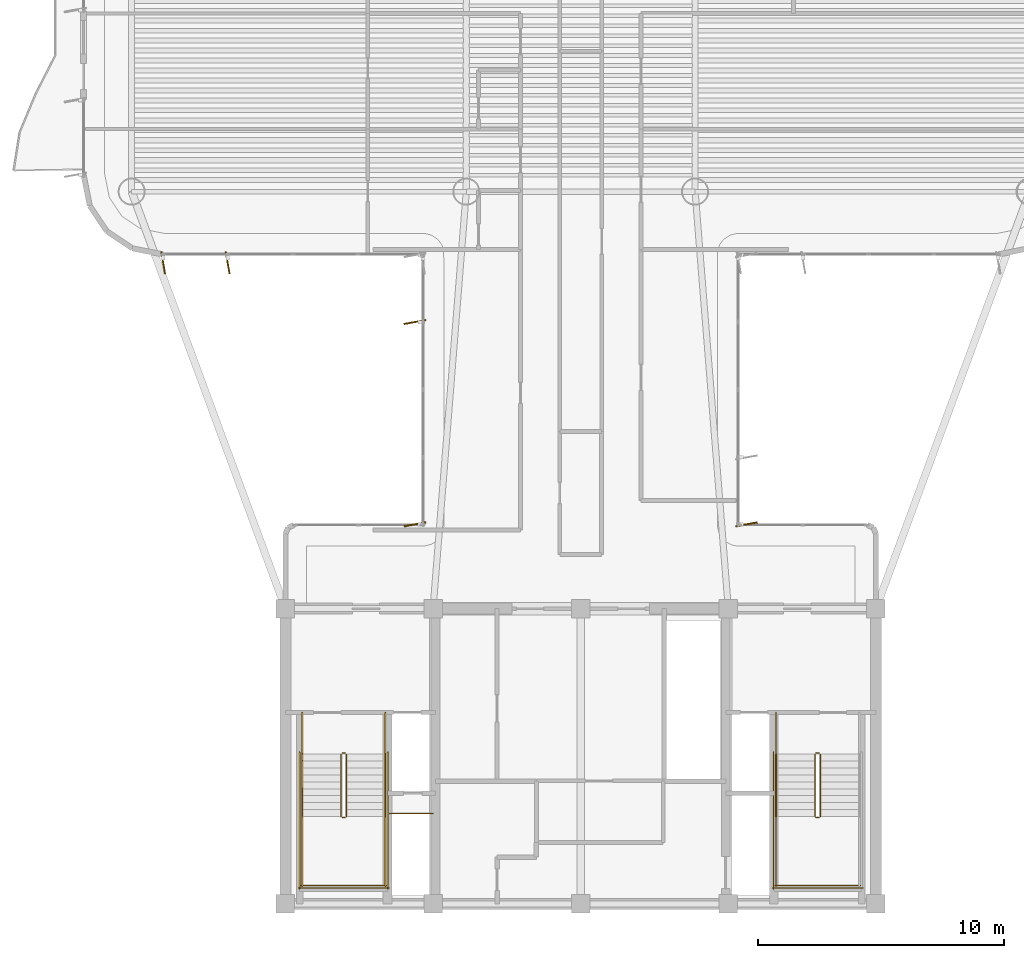
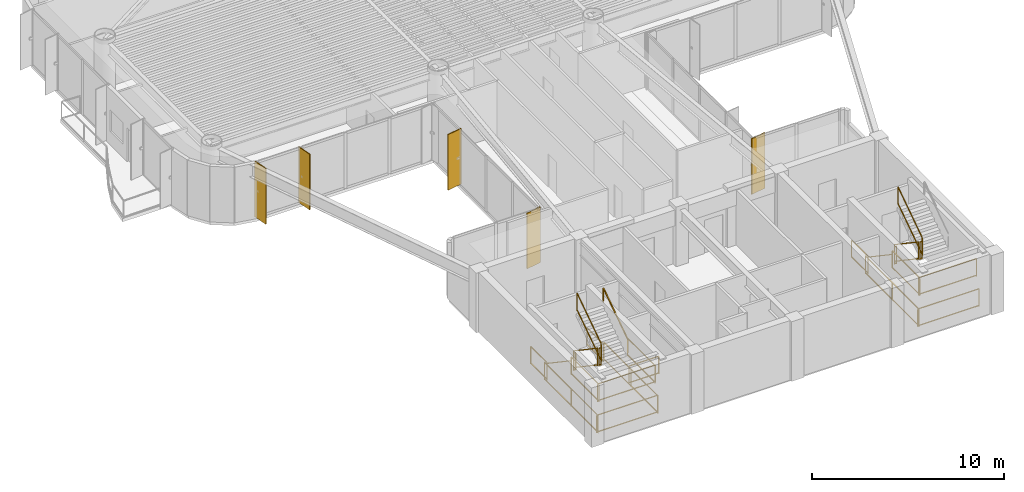
# One storey, part 13 of 14: 25 railings, 5 shading devices.
"""IFC4 building model written with IfcOpenShell, lengths in metres."""

from ifc_helpers import new_model, si_unit, direction, frame, origin, origin_2d, place, context, subcontext, project, spatial, rectangle, extrude, source, transform, mapped, material, layer, layer_set, material_profile, profile_set, type_object, element, save


model = new_model("IFC4")

# Units and contexts
model_context = context("Model", 3, precision=1e-05, world=origin(), true_north=direction((0.0, 1.0)))
body_context = subcontext(model_context, "Body", "Model", "MODEL_VIEW")
ifc_project = project(units=[si_unit("LENGTHUNIT", "METRE"), si_unit("AREAUNIT", "SQUARE_METRE"), si_unit("VOLUMEUNIT", "CUBIC_METRE"), si_unit("PLANEANGLEUNIT", "RADIAN"), si_unit("MASSUNIT", "GRAM", prefix="KILO")], contexts=[model_context])

# Site, building, storey
site_placement = place(None, origin())
site = spatial("IfcSite", under=ifc_project, at=site_placement, CompositionType="ELEMENT")
building_placement = place(site_placement, origin())
building = spatial("IfcBuilding", under=site, at=building_placement, Name="Brelvock Crest Care Tower", CompositionType="ELEMENT")
storey_placement = place(building_placement, frame((0.0, 0.0, 201.780029296875)))
storey = spatial("IfcBuildingStorey", under=building, at=storey_placement, Name="L51", CompositionType="ELEMENT", Elevation=201.780029296875)

# Railings
ifc_material_1 = material(Name="Steel Grade 350", Category="steel")
ifc_layer_1 = layer(ifc_material_1, 0.050048828125, Name="RL-STG1")
ifc_layer_set_1 = layer_set([ifc_layer_1], Name="Steel Grade 350")
railing_type_1 = type_object("IfcRailingType", Name="RL-STG1", PredefinedType="GUARDRAIL", material=ifc_layer_set_1)
railing_1_placement = place(storey_placement, frame((26.260009765625, 12.080078125, 0.18896484375)))
element("IfcRailing", 1, at=railing_1_placement, inside=storey, type_object=railing_type_1, Name="L51 ST-1 stair guard 1", PredefinedType="GUARDRAIL", context=body_context, shape_type="SweptSolid", body=[
    extrude(rectangle(XDim=0.048095703125, YDim=0.048095703125, at=origin_2d()), frame((0.0, -0.001708984375, 1.116943359375), z_axis=(0.0, -0.828861706735, 0.559453546873), x_axis=(1.0, 0.0, 0.0)), (0.0, 0.0, 1.0), 3.036376953125),
    extrude(rectangle(XDim=0.048095703125, YDim=0.048095703125, at=origin_2d()), frame((0.0, -0.001708984375, 0.05615234375), z_axis=(0.0, -0.828861706735, 0.559453546873), x_axis=(1.0, 0.0, 0.0)), (0.0, 0.0, 1.0), 3.036376953125),
    extrude(rectangle(XDim=0.0419921875, YDim=0.0419921875, at=origin_2d()), origin(), (0.0, 0.0, 1.0), 1.08984375),
    extrude(rectangle(XDim=0.0419921875, YDim=0.0419921875, at=origin_2d()), frame((0.0, -2.52001953125, 1.700927734375)), (0.0, 0.0, 1.0), 1.08984375),
])
railing_2_placement = place(storey_placement, frame((26.31005859375, 9.510009765625, 1.889892578125)))
element("IfcRailing", 2, at=railing_2_placement, inside=storey, type_object=railing_type_1, Name="L51 ST-1 stair guard 2", PredefinedType="GUARDRAIL", context=body_context, shape_type="SweptSolid", body=[
    extrude(rectangle(XDim=0.048095703125, YDim=0.048095703125, at=origin_2d()), frame((0.001953125, 0.0, 1.11572265625), z_axis=(1.0, 0.0, 0.0), x_axis=(0.0, 1.0, 0.0)), (0.0, 0.0, 1.0), 0.115966796875),
    extrude(rectangle(XDim=0.048095703125, YDim=0.048095703125, at=origin_2d()), frame((0.001953125, 0.0, 0.054931640625), z_axis=(1.0, 0.0, 0.0), x_axis=(0.0, 1.0, 0.0)), (0.0, 0.0, 1.0), 0.115966796875),
    extrude(rectangle(XDim=0.0419921875, YDim=0.0419921875, at=origin_2d()), origin(), (0.0, 0.0, 1.0), 1.08984375),
    extrude(rectangle(XDim=0.0419921875, YDim=0.0419921875, at=origin_2d()), frame((0.119873046875, 0.0, 0.0)), (0.0, 0.0, 1.0), 1.08984375),
])
for number, where, name in (
    (3, (24.679931640625, 9.56005859375, 1.889892578125), "L51 ST-1 stair guard 3"),
    (4, (28.06005859375, 9.56005859375, 1.889892578125), "L51 ST-1 stair guard 4"),
):
    element("IfcRailing", number, at=place(storey_placement, frame(where)), inside=storey, type_object=railing_type_1, Name=name, PredefinedType="GUARDRAIL", context=body_context, shape_type="SweptSolid", body=[
        extrude(rectangle(XDim=0.048095703125, YDim=0.048095703125, at=origin_2d()), frame((0.0, -0.001953125, 1.11572265625), z_axis=(0.0, -1.0, 0.0), x_axis=(1.0, 0.0, 0.0)), (0.0, 0.0, 1.0), 2.856201171875),
        extrude(rectangle(XDim=0.048095703125, YDim=0.048095703125, at=origin_2d()), frame((0.0, -0.001953125, 0.054931640625), z_axis=(0.0, -1.0, 0.0), x_axis=(1.0, 0.0, 0.0)), (0.0, 0.0, 1.0), 2.856201171875),
        extrude(rectangle(XDim=0.0419921875, YDim=0.0419921875, at=origin_2d()), origin(), (0.0, 0.0, 1.0), 1.08984375),
        extrude(rectangle(XDim=0.0419921875, YDim=0.0419921875, at=origin_2d()), frame((0.0, -2.860107421875, 0.0)), (0.0, 0.0, 1.0), 1.08984375),
    ])
railing_3_placement = place(storey_placement, frame((24.6298828125, 6.75, 1.889892578125)))
element("IfcRailing", 5, at=railing_3_placement, inside=storey, type_object=railing_type_1, Name="L51 ST-1 stair guard 5", PredefinedType="GUARDRAIL", context=body_context, shape_type="SweptSolid", body=[
    extrude(rectangle(XDim=0.048095703125, YDim=0.048095703125, at=origin_2d()), frame((0.001953125, 0.0, 1.11572265625), z_axis=(1.0, 0.0, 0.0), x_axis=(0.0, 1.0, 0.0)), (0.0, 0.0, 1.0), 3.476318359375),
    extrude(rectangle(XDim=0.048095703125, YDim=0.048095703125, at=origin_2d()), frame((0.001953125, 0.0, 0.054931640625), z_axis=(1.0, 0.0, 0.0), x_axis=(0.0, 1.0, 0.0)), (0.0, 0.0, 1.0), 3.476318359375),
    extrude(rectangle(XDim=0.0419921875, YDim=0.0419921875, at=origin_2d()), origin(), (0.0, 0.0, 1.0), 1.08984375),
    extrude(rectangle(XDim=0.0419921875, YDim=0.0419921875, at=origin_2d()), frame((3.480224609375, 0.0, 0.0)), (0.0, 0.0, 1.0), 1.08984375),
])
railing_4_placement = place(storey_placement, frame((26.47998046875, 9.56005859375, 2.078857421875)))
element("IfcRailing", 6, at=railing_4_placement, inside=storey, type_object=railing_type_1, Name="L51 ST-1 stair guard 6", PredefinedType="GUARDRAIL", context=body_context, shape_type="SweptSolid", body=[
    extrude(rectangle(XDim=0.048095703125, YDim=0.048095703125, at=origin_2d()), frame((0.0, 0.001708984375, 1.116943359375), z_axis=(0.0, 0.82882447046, 0.559508710537), x_axis=(-1.0, 0.0, 0.0)), (0.0, 0.0, 1.0), 3.036376953125),
    extrude(rectangle(XDim=0.048095703125, YDim=0.048095703125, at=origin_2d()), frame((0.0, 0.001708984375, 0.05615234375), z_axis=(0.0, 0.82882447046, 0.559508710537), x_axis=(-1.0, 0.0, 0.0)), (0.0, 0.0, 1.0), 3.036376953125),
    extrude(rectangle(XDim=0.0419921875, YDim=0.0419921875, at=origin_2d()), origin(), (0.0, 0.0, 1.0), 1.08984375),
    extrude(rectangle(XDim=0.0419921875, YDim=0.0419921875, at=origin_2d()), frame((0.0, 2.52001953125, 1.701171875)), (0.0, 0.0, 1.0), 1.08984375),
])
railing_5_placement = place(storey_placement, frame((26.31005859375, 12.1298828125, 0.0)))
element("IfcRailing", 7, at=railing_5_placement, inside=storey, type_object=railing_type_1, Name="L51 ST-1 stair guard 7", PredefinedType="GUARDRAIL", context=body_context, shape_type="SweptSolid", body=[
    extrude(rectangle(XDim=0.048095703125, YDim=0.048095703125, at=origin_2d()), frame((0.001953125, 0.0, 1.11572265625), z_axis=(1.0, 0.0, 0.0), x_axis=(0.0, 1.0, 0.0)), (0.0, 0.0, 1.0), 0.115966796875),
    extrude(rectangle(XDim=0.048095703125, YDim=0.048095703125, at=origin_2d()), frame((0.001953125, 0.0, 0.054931640625), z_axis=(1.0, 0.0, 0.0), x_axis=(0.0, 1.0, 0.0)), (0.0, 0.0, 1.0), 0.115966796875),
    extrude(rectangle(XDim=0.0419921875, YDim=0.0419921875, at=origin_2d()), origin(), (0.0, 0.0, 1.0), 1.08984375),
    extrude(rectangle(XDim=0.0419921875, YDim=0.0419921875, at=origin_2d()), frame((0.119873046875, 0.0, 0.0)), (0.0, 0.0, 1.0), 1.08984375),
])
for number, where, name in (
    (8, (24.679931640625, 13.780029296875, 0.0), "L51 ST-1 stair guard 8"),
    (9, (28.06005859375, 13.780029296875, 0.0), "L51 ST-1 stair guard 9"),
):
    element("IfcRailing", number, at=place(storey_placement, frame(where)), inside=storey, type_object=railing_type_1, Name=name, PredefinedType="GUARDRAIL", context=body_context, shape_type="SweptSolid", body=[
        extrude(rectangle(XDim=0.048095703125, YDim=0.048095703125, at=origin_2d()), frame((0.0, -0.001953125, 1.11572265625), z_axis=(0.0, -1.0, 0.0), x_axis=(1.0, 0.0, 0.0)), (0.0, 0.0, 1.0), 1.696044921875),
        extrude(rectangle(XDim=0.048095703125, YDim=0.048095703125, at=origin_2d()), frame((0.0, -0.001953125, 0.054931640625), z_axis=(0.0, -1.0, 0.0), x_axis=(1.0, 0.0, 0.0)), (0.0, 0.0, 1.0), 1.696044921875),
        extrude(rectangle(XDim=0.0419921875, YDim=0.0419921875, at=origin_2d()), origin(), (0.0, 0.0, 1.0), 1.08984375),
        extrude(rectangle(XDim=0.0419921875, YDim=0.0419921875, at=origin_2d()), frame((0.0, -1.699951171875, 0.0)), (0.0, 0.0, 1.0), 1.08984375),
    ])
for number, where, name in (
    (10, (24.580078125, 12.179931640625, 0.0), "L51 ST-1 stair guard 10"),
    (11, (28.159912109375, 12.179931640625, 0.0), "L51 ST-1 stair guard 11"),
):
    element("IfcRailing", number, at=place(storey_placement, frame(where)), inside=storey, type_object=railing_type_1, Name=name, PredefinedType="GUARDRAIL", context=body_context, shape_type="SweptSolid", body=[
        extrude(rectangle(XDim=0.048095703125, YDim=0.048095703125, at=origin_2d()), frame((0.0, -0.001953125, 1.11572265625), z_axis=(0.0, -1.0, 0.0), x_axis=(1.0, 0.0, 0.0)), (0.0, 0.0, 1.0), 5.575927734375),
        extrude(rectangle(XDim=0.048095703125, YDim=0.048095703125, at=origin_2d()), frame((0.0, -0.001953125, 0.054931640625), z_axis=(0.0, -1.0, 0.0), x_axis=(1.0, 0.0, 0.0)), (0.0, 0.0, 1.0), 5.575927734375),
        extrude(rectangle(XDim=0.0419921875, YDim=0.0419921875, at=origin_2d()), origin(), (0.0, 0.0, 1.0), 1.08984375),
        extrude(rectangle(XDim=0.0419921875, YDim=0.0419921875, at=origin_2d()), frame((0.0, -2.7900390625, 0.0)), (0.0, 0.0, 1.0), 1.08984375),
        extrude(rectangle(XDim=0.0419921875, YDim=0.0419921875, at=origin_2d()), frame((0.0, -5.579833984375, 0.0)), (0.0, 0.0, 1.0), 1.08984375),
    ])
railing_6_placement = place(storey_placement, frame((24.530029296875, 6.64990234375, 0.0)))
element("IfcRailing", 12, at=railing_6_placement, inside=storey, type_object=railing_type_1, Name="L51 ST-1 stair guard 12", PredefinedType="GUARDRAIL", context=body_context, shape_type="SweptSolid", body=[
    extrude(rectangle(XDim=0.048095703125, YDim=0.048095703125, at=origin_2d()), frame((0.001953125, 0.0, 1.11572265625), z_axis=(1.0, 0.0, 0.0), x_axis=(0.0, 1.0, 0.0)), (0.0, 0.0, 1.0), 3.676025390625),
    extrude(rectangle(XDim=0.048095703125, YDim=0.048095703125, at=origin_2d()), frame((0.001953125, 0.0, 0.054931640625), z_axis=(1.0, 0.0, 0.0), x_axis=(0.0, 1.0, 0.0)), (0.0, 0.0, 1.0), 3.676025390625),
    extrude(rectangle(XDim=0.0419921875, YDim=0.0419921875, at=origin_2d()), origin(), (0.0, 0.0, 1.0), 1.08984375),
    extrude(rectangle(XDim=0.0419921875, YDim=0.0419921875, at=origin_2d()), frame((3.679931640625, 0.0, 0.0)), (0.0, 0.0, 1.0), 1.08984375),
])
railing_7_placement = place(storey_placement, frame((45.52001953125, 12.080078125, 0.18896484375)))
element("IfcRailing", 13, at=railing_7_placement, inside=storey, type_object=railing_type_1, Name="L51 ST-2 stair guard 1", PredefinedType="GUARDRAIL", context=body_context, shape_type="SweptSolid", body=[
    extrude(rectangle(XDim=0.048095703125, YDim=0.048095703125, at=origin_2d()), frame((0.0, -0.001708984375, 1.116943359375), z_axis=(0.0, -0.828861706735, 0.559453546873), x_axis=(1.0, 0.0, 0.0)), (0.0, 0.0, 1.0), 3.036376953125),
    extrude(rectangle(XDim=0.048095703125, YDim=0.048095703125, at=origin_2d()), frame((0.0, -0.001708984375, 0.05615234375), z_axis=(0.0, -0.828861706735, 0.559453546873), x_axis=(1.0, 0.0, 0.0)), (0.0, 0.0, 1.0), 3.036376953125),
    extrude(rectangle(XDim=0.0419921875, YDim=0.0419921875, at=origin_2d()), origin(), (0.0, 0.0, 1.0), 1.08984375),
    extrude(rectangle(XDim=0.0419921875, YDim=0.0419921875, at=origin_2d()), frame((0.0, -2.52001953125, 1.700927734375)), (0.0, 0.0, 1.0), 1.08984375),
])
railing_8_placement = place(storey_placement, frame((45.570068359375, 9.510009765625, 1.889892578125)))
element("IfcRailing", 14, at=railing_8_placement, inside=storey, type_object=railing_type_1, Name="L51 ST-2 stair guard 2", PredefinedType="GUARDRAIL", context=body_context, shape_type="SweptSolid", body=[
    extrude(rectangle(XDim=0.048095703125, YDim=0.048095703125, at=origin_2d()), frame((0.001953125, 0.0, 1.11572265625), z_axis=(1.0, 0.0, 0.0), x_axis=(0.0, 1.0, 0.0)), (0.0, 0.0, 1.0), 0.115966796875),
    extrude(rectangle(XDim=0.048095703125, YDim=0.048095703125, at=origin_2d()), frame((0.001953125, 0.0, 0.054931640625), z_axis=(1.0, 0.0, 0.0), x_axis=(0.0, 1.0, 0.0)), (0.0, 0.0, 1.0), 0.115966796875),
    extrude(rectangle(XDim=0.0419921875, YDim=0.0419921875, at=origin_2d()), origin(), (0.0, 0.0, 1.0), 1.08984375),
    extrude(rectangle(XDim=0.0419921875, YDim=0.0419921875, at=origin_2d()), frame((0.119873046875, 0.0, 0.0)), (0.0, 0.0, 1.0), 1.08984375),
])
railing_9_placement = place(storey_placement, frame((43.93994140625, 9.56005859375, 1.889892578125)))
element("IfcRailing", 15, at=railing_9_placement, inside=storey, type_object=railing_type_1, Name="L51 ST-2 stair guard 3", PredefinedType="GUARDRAIL", context=body_context, shape_type="SweptSolid", body=[
    extrude(rectangle(XDim=0.048095703125, YDim=0.048095703125, at=origin_2d()), frame((0.0, -0.001953125, 1.11572265625), z_axis=(0.0, -1.0, 0.0), x_axis=(1.0, 0.0, 0.0)), (0.0, 0.0, 1.0), 2.856201171875),
    extrude(rectangle(XDim=0.048095703125, YDim=0.048095703125, at=origin_2d()), frame((0.0, -0.001953125, 0.054931640625), z_axis=(0.0, -1.0, 0.0), x_axis=(1.0, 0.0, 0.0)), (0.0, 0.0, 1.0), 2.856201171875),
    extrude(rectangle(XDim=0.0419921875, YDim=0.0419921875, at=origin_2d()), origin(), (0.0, 0.0, 1.0), 1.08984375),
    extrude(rectangle(XDim=0.0419921875, YDim=0.0419921875, at=origin_2d()), frame((0.0, -2.860107421875, 0.0)), (0.0, 0.0, 1.0), 1.08984375),
])
railing_10_placement = place(storey_placement, frame((43.889892578125, 6.75, 1.889892578125)))
element("IfcRailing", 16, at=railing_10_placement, inside=storey, type_object=railing_type_1, Name="L51 ST-2 stair guard 5", PredefinedType="GUARDRAIL", context=body_context, shape_type="SweptSolid", body=[
    extrude(rectangle(XDim=0.048095703125, YDim=0.048095703125, at=origin_2d()), frame((0.001953125, 0.0, 1.11572265625), z_axis=(1.0, 0.0, 0.0), x_axis=(0.0, 1.0, 0.0)), (0.0, 0.0, 1.0), 3.476318359375),
    extrude(rectangle(XDim=0.048095703125, YDim=0.048095703125, at=origin_2d()), frame((0.001953125, 0.0, 0.054931640625), z_axis=(1.0, 0.0, 0.0), x_axis=(0.0, 1.0, 0.0)), (0.0, 0.0, 1.0), 3.476318359375),
    extrude(rectangle(XDim=0.0419921875, YDim=0.0419921875, at=origin_2d()), origin(), (0.0, 0.0, 1.0), 1.08984375),
    extrude(rectangle(XDim=0.0419921875, YDim=0.0419921875, at=origin_2d()), frame((3.480224609375, 0.0, 0.0)), (0.0, 0.0, 1.0), 1.08984375),
])
railing_11_placement = place(storey_placement, frame((45.739990234375, 9.56005859375, 2.078857421875)))
element("IfcRailing", 17, at=railing_11_placement, inside=storey, type_object=railing_type_1, Name="L51 ST-2 stair guard 6", PredefinedType="GUARDRAIL", context=body_context, shape_type="SweptSolid", body=[
    extrude(rectangle(XDim=0.048095703125, YDim=0.048095703125, at=origin_2d()), frame((0.0, 0.001708984375, 1.116943359375), z_axis=(0.0, 0.82882447046, 0.559508710537), x_axis=(-1.0, 0.0, 0.0)), (0.0, 0.0, 1.0), 3.036376953125),
    extrude(rectangle(XDim=0.048095703125, YDim=0.048095703125, at=origin_2d()), frame((0.0, 0.001708984375, 0.05615234375), z_axis=(0.0, 0.82882447046, 0.559508710537), x_axis=(-1.0, 0.0, 0.0)), (0.0, 0.0, 1.0), 3.036376953125),
    extrude(rectangle(XDim=0.0419921875, YDim=0.0419921875, at=origin_2d()), origin(), (0.0, 0.0, 1.0), 1.08984375),
    extrude(rectangle(XDim=0.0419921875, YDim=0.0419921875, at=origin_2d()), frame((0.0, 2.52001953125, 1.701171875)), (0.0, 0.0, 1.0), 1.08984375),
])
railing_12_placement = place(storey_placement, frame((45.570068359375, 12.1298828125, 0.0)))
element("IfcRailing", 18, at=railing_12_placement, inside=storey, type_object=railing_type_1, Name="L51 ST-2 stair guard 7", PredefinedType="GUARDRAIL", context=body_context, shape_type="SweptSolid", body=[
    extrude(rectangle(XDim=0.048095703125, YDim=0.048095703125, at=origin_2d()), frame((0.001953125, 0.0, 1.11572265625), z_axis=(1.0, 0.0, 0.0), x_axis=(0.0, 1.0, 0.0)), (0.0, 0.0, 1.0), 0.115966796875),
    extrude(rectangle(XDim=0.048095703125, YDim=0.048095703125, at=origin_2d()), frame((0.001953125, 0.0, 0.054931640625), z_axis=(1.0, 0.0, 0.0), x_axis=(0.0, 1.0, 0.0)), (0.0, 0.0, 1.0), 0.115966796875),
    extrude(rectangle(XDim=0.0419921875, YDim=0.0419921875, at=origin_2d()), origin(), (0.0, 0.0, 1.0), 1.08984375),
    extrude(rectangle(XDim=0.0419921875, YDim=0.0419921875, at=origin_2d()), frame((0.119873046875, 0.0, 0.0)), (0.0, 0.0, 1.0), 1.08984375),
])
railing_13_placement = place(storey_placement, frame((43.93994140625, 13.780029296875, 0.0)))
element("IfcRailing", 19, at=railing_13_placement, inside=storey, type_object=railing_type_1, Name="L51 ST-2 stair guard 8", PredefinedType="GUARDRAIL", context=body_context, shape_type="SweptSolid", body=[
    extrude(rectangle(XDim=0.048095703125, YDim=0.048095703125, at=origin_2d()), frame((0.0, -0.001953125, 1.11572265625), z_axis=(0.0, -1.0, 0.0), x_axis=(1.0, 0.0, 0.0)), (0.0, 0.0, 1.0), 1.696044921875),
    extrude(rectangle(XDim=0.048095703125, YDim=0.048095703125, at=origin_2d()), frame((0.0, -0.001953125, 0.054931640625), z_axis=(0.0, -1.0, 0.0), x_axis=(1.0, 0.0, 0.0)), (0.0, 0.0, 1.0), 1.696044921875),
    extrude(rectangle(XDim=0.0419921875, YDim=0.0419921875, at=origin_2d()), origin(), (0.0, 0.0, 1.0), 1.08984375),
    extrude(rectangle(XDim=0.0419921875, YDim=0.0419921875, at=origin_2d()), frame((0.0, -1.699951171875, 0.0)), (0.0, 0.0, 1.0), 1.08984375),
])
railing_14_placement = place(storey_placement, frame((43.840087890625, 12.179931640625, 0.0)))
element("IfcRailing", 20, at=railing_14_placement, inside=storey, type_object=railing_type_1, Name="L51 ST-2 stair guard 10", PredefinedType="GUARDRAIL", context=body_context, shape_type="SweptSolid", body=[
    extrude(rectangle(XDim=0.048095703125, YDim=0.048095703125, at=origin_2d()), frame((0.0, -0.001953125, 1.11572265625), z_axis=(0.0, -1.0, 0.0), x_axis=(1.0, 0.0, 0.0)), (0.0, 0.0, 1.0), 5.575927734375),
    extrude(rectangle(XDim=0.048095703125, YDim=0.048095703125, at=origin_2d()), frame((0.0, -0.001953125, 0.054931640625), z_axis=(0.0, -1.0, 0.0), x_axis=(1.0, 0.0, 0.0)), (0.0, 0.0, 1.0), 5.575927734375),
    extrude(rectangle(XDim=0.0419921875, YDim=0.0419921875, at=origin_2d()), origin(), (0.0, 0.0, 1.0), 1.08984375),
    extrude(rectangle(XDim=0.0419921875, YDim=0.0419921875, at=origin_2d()), frame((0.0, -2.7900390625, 0.0)), (0.0, 0.0, 1.0), 1.08984375),
    extrude(rectangle(XDim=0.0419921875, YDim=0.0419921875, at=origin_2d()), frame((0.0, -5.579833984375, 0.0)), (0.0, 0.0, 1.0), 1.08984375),
])
railing_15_placement = place(storey_placement, frame((43.7900390625, 6.64990234375, 0.0)))
element("IfcRailing", 21, at=railing_15_placement, inside=storey, type_object=railing_type_1, Name="L51 ST-2 stair guard 12", PredefinedType="GUARDRAIL", context=body_context, shape_type="SweptSolid", body=[
    extrude(rectangle(XDim=0.048095703125, YDim=0.048095703125, at=origin_2d()), frame((0.001953125, 0.0, 1.11572265625), z_axis=(1.0, 0.0, 0.0), x_axis=(0.0, 1.0, 0.0)), (0.0, 0.0, 1.0), 3.676025390625),
    extrude(rectangle(XDim=0.048095703125, YDim=0.048095703125, at=origin_2d()), frame((0.001953125, 0.0, 0.054931640625), z_axis=(1.0, 0.0, 0.0), x_axis=(0.0, 1.0, 0.0)), (0.0, 0.0, 1.0), 3.676025390625),
    extrude(rectangle(XDim=0.0419921875, YDim=0.0419921875, at=origin_2d()), origin(), (0.0, 0.0, 1.0), 1.08984375),
    extrude(rectangle(XDim=0.0419921875, YDim=0.0419921875, at=origin_2d()), frame((3.679931640625, 0.0, 0.0)), (0.0, 0.0, 1.0), 1.08984375),
])
railing_16_placement = place(storey_placement, frame((28.219970703125, 9.679931640625, 0.0)))
element("IfcRailing", 22, at=railing_16_placement, inside=storey, type_object=railing_type_1, Name="L51 Fire Riser Threshold Guard", PredefinedType="GUARDRAIL", context=body_context, shape_type="SweptSolid", body=[
    extrude(rectangle(XDim=0.048095703125, YDim=0.048095703125, at=origin_2d()), frame((0.001953125, 0.0, 1.11572265625), z_axis=(1.0, 0.0, 0.0), x_axis=(0.0, 1.0, 0.0)), (0.0, 0.0, 1.0), 1.776123046875),
    extrude(rectangle(XDim=0.048095703125, YDim=0.048095703125, at=origin_2d()), frame((0.001953125, 0.0, 0.054931640625), z_axis=(1.0, 0.0, 0.0), x_axis=(0.0, 1.0, 0.0)), (0.0, 0.0, 1.0), 1.776123046875),
    extrude(rectangle(XDim=0.0419921875, YDim=0.0419921875, at=origin_2d()), origin(), (0.0, 0.0, 1.0), 1.08984375),
    extrude(rectangle(XDim=0.0419921875, YDim=0.0419921875, at=origin_2d()), frame((1.780029296875, 0.0, 0.0)), (0.0, 0.0, 1.0), 1.08984375),
])
ifc_layer_2 = layer(ifc_material_1, 0.048095703125, Name="RL-STH1")
ifc_layer_set_2 = layer_set([ifc_layer_2], Name="Steel Grade 350")
railing_type_2 = type_object("IfcRailingType", Name="RL-STH1", PredefinedType="HANDRAIL", material=ifc_layer_set_2)
railing_17_placement = place(storey_placement, frame((24.679931640625, 12.080078125, 0.18896484375)))
element("IfcRailing", 23, at=railing_17_placement, inside=storey, type_object=railing_type_2, Name="L51 ST-1 stair handrail 1", PredefinedType="HANDRAIL", context=body_context, shape_type="SweptSolid", body=[
    extrude(rectangle(XDim=0.048095703125, YDim=0.048095703125, at=origin_2d()), frame((0.0, -0.001708984375, 0.876953125), z_axis=(0.0, -0.828861706735, 0.559453546873), x_axis=(1.0, 0.0, 0.0)), (0.0, 0.0, 1.0), 3.036376953125),
    extrude(rectangle(XDim=0.0419921875, YDim=0.0419921875, at=origin_2d()), origin(), (0.0, 0.0, 1.0), 0.849853515625),
    extrude(rectangle(XDim=0.0419921875, YDim=0.0419921875, at=origin_2d()), frame((0.0, -2.52001953125, 1.700927734375)), (0.0, 0.0, 1.0), 0.849853515625),
])
railing_18_placement = place(storey_placement, frame((28.06005859375, 9.56005859375, 2.078857421875)))
element("IfcRailing", 24, at=railing_18_placement, inside=storey, type_object=railing_type_2, Name="L51 ST-1 stair handrail 2", PredefinedType="HANDRAIL", context=body_context, shape_type="SweptSolid", body=[
    extrude(rectangle(XDim=0.048095703125, YDim=0.048095703125, at=origin_2d()), frame((0.0, 0.001708984375, 0.876953125), z_axis=(0.0, 0.82882447046, 0.559508710537), x_axis=(-1.0, 0.0, 0.0)), (0.0, 0.0, 1.0), 3.036376953125),
    extrude(rectangle(XDim=0.0419921875, YDim=0.0419921875, at=origin_2d()), origin(), (0.0, 0.0, 1.0), 0.849853515625),
    extrude(rectangle(XDim=0.0419921875, YDim=0.0419921875, at=origin_2d()), frame((0.0, 2.52001953125, 1.701171875)), (0.0, 0.0, 1.0), 0.849853515625),
])
railing_19_placement = place(storey_placement, frame((43.93994140625, 12.080078125, 0.18896484375)))
element("IfcRailing", 25, at=railing_19_placement, inside=storey, type_object=railing_type_2, Name="L51 ST-2 stair handrail 1", PredefinedType="HANDRAIL", context=body_context, shape_type="SweptSolid", body=[
    extrude(rectangle(XDim=0.048095703125, YDim=0.048095703125, at=origin_2d()), frame((0.0, -0.001708984375, 0.876953125), z_axis=(0.0, -0.828861706735, 0.559453546873), x_axis=(1.0, 0.0, 0.0)), (0.0, 0.0, 1.0), 3.036376953125),
    extrude(rectangle(XDim=0.0419921875, YDim=0.0419921875, at=origin_2d()), origin(), (0.0, 0.0, 1.0), 0.849853515625),
    extrude(rectangle(XDim=0.0419921875, YDim=0.0419921875, at=origin_2d()), frame((0.0, -2.52001953125, 1.700927734375)), (0.0, 0.0, 1.0), 0.849853515625),
])

# Shading devices
ifc_material_2 = material(Name="Aluminium 6063-T6", Category="aluminium")
ifc_material_profile = material_profile(ifc_material_2, rectangle(XDim=0.054931640625, YDim=0.89990234375, at=origin_2d()), Name="FIN55x900")
ifc_profile_set = profile_set([ifc_material_profile], Name="Aluminium 6063-T6")
shading_device_type = type_object("IfcShadingDeviceType", Name="SHD-FIN1", PredefinedType="USERDEFINED", material=ifc_profile_set)
shared_shape = source(origin(), body_context, "Body", "SweptSolid", [
    extrude(rectangle(XDim=0.054931640625, YDim=0.89990234375, at=origin_2d()), origin(), (0.0, 0.0, 1.0), 3.530029296875),
])
for number, where, z_axis, x_axis, name in (
    (26, (29.260009765625, 21.429931640625, 0.0), (0.0, 0.0, 1.0), (-0.173648177667, 0.984807753012, 0.0), "L51 Vertical Sunshade Fin E11-01"),
    (27, (29.260009765625, 29.64990234375, 0.0), (0.0, 0.0, 1.0), (-0.173648177667, 0.984807753012, 0.0), "L51 Vertical Sunshade Fin E11-04"),
    (28, (21.64990234375, 32.06005859375, 0.0), (0.0, 0.0, 1.0), (-0.984807753012, -0.173648177667, 0.0), "L51 Vertical Sunshade Fin E12-04"),
    (29, (19.030029296875, 32.06005859375, 0.0), (0.0, 0.0, 1.0), (-0.984807753012, -0.173648177667, 0.0), "L51 Vertical Sunshade Fin E12-05"),
    (30, (42.739990234375, 21.429931640625, 0.0), (0.0, 0.0, 1.0), (0.173648177667, -0.984807753012, 0.0), "L51 Vertical Sunshade Fin E45-05"),
):
    element("IfcShadingDevice", number, at=place(storey_placement, frame(where, z_axis=z_axis, x_axis=x_axis)), inside=storey, type_object=shading_device_type, Name=name, ObjectType="FIN", PredefinedType="USERDEFINED", context=body_context, shape_type="MappedRepresentation", body=[
        mapped(shared_shape, transform((0.0, 0.0, 0.0), x_axis=(1.0, 0.0, 0.0), y_axis=(0.0, 1.0, 0.0), z_axis=(0.0, 0.0, 1.0), scale=1.0)),
    ])

save(model, "model.ifc")
